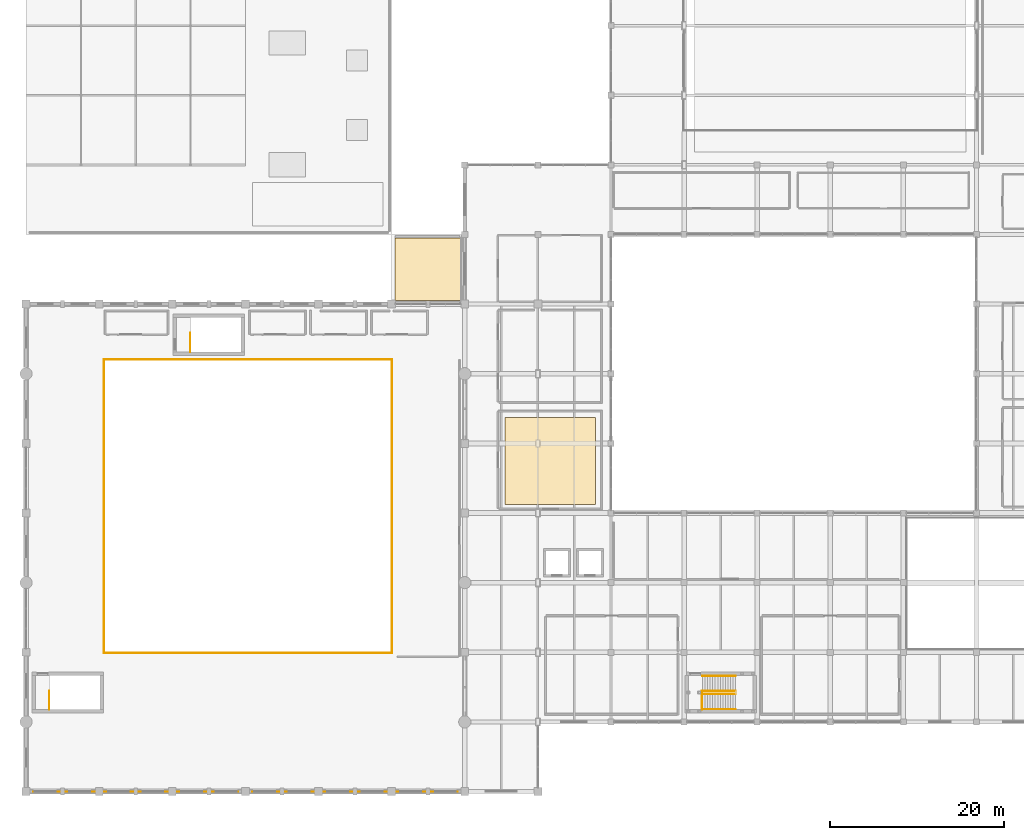
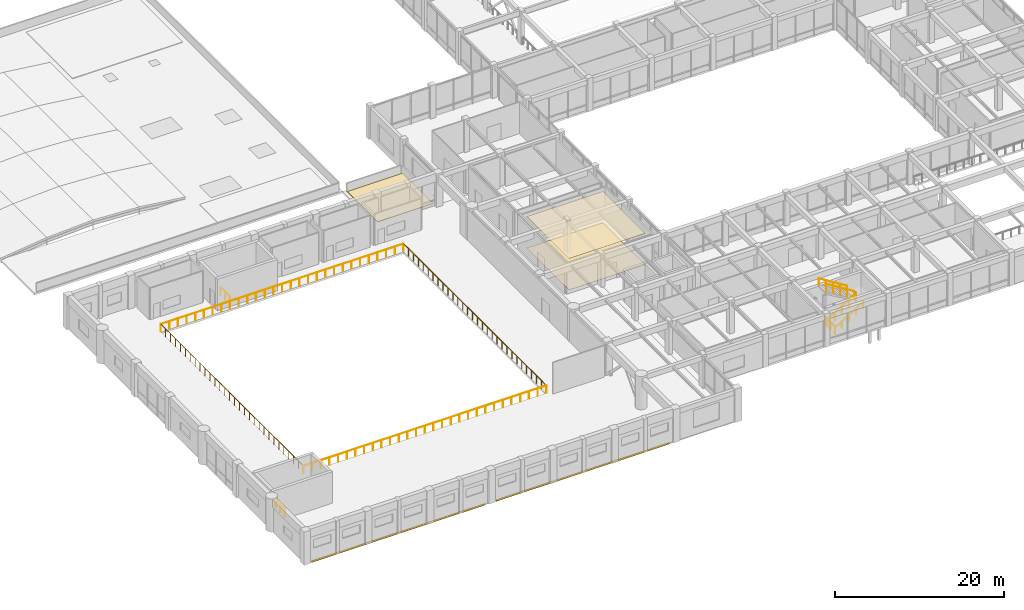
# One storey, part 71 of 76: 11 railings, 5 coverings.
"""IFC4 building model written with IfcOpenShell, lengths in metres."""

from ifc_helpers import new_model, si_unit, direction, frame, origin, origin_2d, place, context, subcontext, project, spatial, polyline, rectangle, circle, outline, extrude, material, layer, layer_set, type_object, element, save


model = new_model("IFC4")

# Units and contexts
model_context = context("Model", 3, precision=1e-05, world=origin(), true_north=direction((0.0, 1.0)))
body_context = subcontext(model_context, "Body", "Model", "MODEL_VIEW")
ifc_project = project(units=[si_unit("LENGTHUNIT", "METRE"), si_unit("AREAUNIT", "SQUARE_METRE"), si_unit("VOLUMEUNIT", "CUBIC_METRE"), si_unit("PLANEANGLEUNIT", "RADIAN"), si_unit("MASSUNIT", "GRAM", prefix="KILO")], contexts=[model_context])

# Site, building, storey
site_placement = place(None, origin())
site = spatial("IfcSite", under=ifc_project, at=site_placement, CompositionType="ELEMENT")
building_placement = place(site_placement, origin())
building = spatial("IfcBuilding", under=site, at=building_placement, Name="Naruveol Harbour Congress Hotel", CompositionType="ELEMENT")
storey_placement = place(building_placement, frame((0.0, 0.0, 11.39990234375)))
storey = spatial("IfcBuildingStorey", under=building, at=storey_placement, Name="L02", CompositionType="ELEMENT", Elevation=11.39990234375)

# Coverings
ifc_material_1 = material(Name="Precast concrete C40/50", Category="concrete")
ifc_layer_1 = layer(ifc_material_1, 0.044921875)
ifc_layer_set_1 = layer_set([ifc_layer_1], Name="Precast concrete C40/50")
covering_type_1 = type_object("IfcCoveringType", Name="HONED INCHEON GRANITE SPANDREL CLADDING 45", PredefinedType="CLADDING", material=ifc_layer_set_1)
for number, where, z_axis, x_axis, name in (
    (1, (12.60009765625, -0.02001953125, -0.27978515625), (0.0, 0.0, 1.0), (1.0, 0.0, 0.0), "Granite spandrel fascia cladding #3"),
    (2, (37.800048828125, -0.02001953125, -0.27978515625), (0.0, 0.0, 1.0), (1.0, 0.0, 0.0), "Granite spandrel fascia cladding #4"),
):
    element("IfcCovering", number, at=place(storey_placement, frame(where, z_axis=z_axis, x_axis=x_axis)), inside=storey, type_object=covering_type_1, Name=name, PredefinedType="CLADDING", context=body_context, shape_type="SweptSolid", body=[
        extrude(rectangle(XDim=23.60009765625, YDim=0.044921875, at=origin_2d()), origin(), (0.0, 0.0, 1.0), 0.280029296875),
    ])
ifc_material_2 = material(Name="TPO Waterproofing & Mineral Insulation", Category="insulation")
ifc_layer_2 = layer(ifc_material_2, 0.080078125)
ifc_layer_set_2 = layer_set([ifc_layer_2], Name="TPO Waterproofing & Mineral Insulation")
covering_type_2 = type_object("IfcCoveringType", Name="INSULATED MEMBRANE ROOFING SYSTEM 80", PredefinedType="ROOFING", material=ifc_layer_set_2)
covering_1_placement = place(storey_placement, origin())
element("IfcCovering", 3, at=covering_1_placement, inside=storey, type_object=covering_type_2, Name="Insulated roof membrane covering #3", PredefinedType="ROOFING", context=body_context, shape_type="SweptSolid", body=[
    extrude(outline(polyline([(42.39990234375, 56.39990234375), (50.0, 56.39990234375), (50.0, 63.60009765625), (42.39990234375, 63.60009765625), (42.39990234375, 56.39990234375)])), origin(), (0.0, 0.0, 1.0), 0.080078125),
])

# Railings
ifc_material_3 = material(Name="Tempered Laminated Safety Glass & Stainless Steel", Category="steel")
ifc_layer_3 = layer(ifc_material_3, 0.06005859375)
ifc_layer_set_3 = layer_set([ifc_layer_3], Name="Tempered Laminated Safety Glass & Stainless Steel")
railing_type_1 = type_object("IfcRailingType", Name="LAMINATED GLASS TERRACE BALUSTRADE 1150", PredefinedType="BALUSTRADE", material=ifc_layer_set_3)
railing_1_placement = place(storey_placement, frame((8.93994140625, 15.93994140625, 0.0)))
element("IfcRailing", 4, at=railing_1_placement, inside=storey, type_object=railing_type_1, Name="Congress Balcony bowl balustrade #54", PredefinedType="BALUSTRADE", context=body_context, shape_type="SweptSolid", body=[
    extrude(circle(Radius=0.02392578125, at=origin_2d()), frame((0.0, 0.0, 1.1259765625), z_axis=(1.0, 0.0, 0.0), x_axis=(0.0, 1.0, 0.0)), (0.0, 0.0, 1.0), 33.1201171875),
    extrude(circle(Radius=0.02099609375, at=origin_2d()), origin(), (0.0, 0.0, 1.0), 1.101806640625),
    extrude(circle(Radius=0.02099609375, at=origin_2d()), frame((1.182861328125, 0.0, 0.0)), (0.0, 0.0, 1.0), 1.101806640625),
    extrude(circle(Radius=0.02099609375, at=origin_2d()), frame((2.36572265625, 0.0, 0.0)), (0.0, 0.0, 1.0), 1.101806640625),
    extrude(circle(Radius=0.02099609375, at=origin_2d()), frame((3.548583984375, 0.0, 0.0)), (0.0, 0.0, 1.0), 1.101806640625),
    extrude(circle(Radius=0.02099609375, at=origin_2d()), frame((4.7314453125, 0.0, 0.0)), (0.0, 0.0, 1.0), 1.101806640625),
    extrude(circle(Radius=0.02099609375, at=origin_2d()), frame((5.914306640625, 0.0, 0.0)), (0.0, 0.0, 1.0), 1.101806640625),
    extrude(circle(Radius=0.02099609375, at=origin_2d()), frame((7.09716796875, 0.0, 0.0)), (0.0, 0.0, 1.0), 1.101806640625),
    extrude(circle(Radius=0.02099609375, at=origin_2d()), frame((8.280029296875, 0.0, 0.0)), (0.0, 0.0, 1.0), 1.101806640625),
    extrude(circle(Radius=0.02099609375, at=origin_2d()), frame((9.462890625, 0.0, 0.0)), (0.0, 0.0, 1.0), 1.101806640625),
    extrude(circle(Radius=0.02099609375, at=origin_2d()), frame((10.645751953125, 0.0, 0.0)), (0.0, 0.0, 1.0), 1.101806640625),
    extrude(circle(Radius=0.02099609375, at=origin_2d()), frame((11.82861328125, 0.0, 0.0)), (0.0, 0.0, 1.0), 1.101806640625),
    extrude(circle(Radius=0.02099609375, at=origin_2d()), frame((13.011474609375, 0.0, 0.0)), (0.0, 0.0, 1.0), 1.101806640625),
    extrude(circle(Radius=0.02099609375, at=origin_2d()), frame((14.1943359375, 0.0, 0.0)), (0.0, 0.0, 1.0), 1.101806640625),
    extrude(circle(Radius=0.02099609375, at=origin_2d()), frame((15.377197265625, 0.0, 0.0)), (0.0, 0.0, 1.0), 1.101806640625),
    extrude(circle(Radius=0.02099609375, at=origin_2d()), frame((16.56005859375, 0.0, 0.0)), (0.0, 0.0, 1.0), 1.101806640625),
    extrude(circle(Radius=0.02099609375, at=origin_2d()), frame((17.742919921875, 0.0, 0.0)), (0.0, 0.0, 1.0), 1.101806640625),
    extrude(circle(Radius=0.02099609375, at=origin_2d()), frame((18.92578125, 0.0, 0.0)), (0.0, 0.0, 1.0), 1.101806640625),
    extrude(circle(Radius=0.02099609375, at=origin_2d()), frame((20.108642578125, 0.0, 0.0)), (0.0, 0.0, 1.0), 1.101806640625),
    extrude(circle(Radius=0.02099609375, at=origin_2d()), frame((21.29150390625, 0.0, 0.0)), (0.0, 0.0, 1.0), 1.101806640625),
    extrude(circle(Radius=0.02099609375, at=origin_2d()), frame((22.474365234375, 0.0, 0.0)), (0.0, 0.0, 1.0), 1.101806640625),
    extrude(circle(Radius=0.02099609375, at=origin_2d()), frame((23.6572265625, 0.0, 0.0)), (0.0, 0.0, 1.0), 1.101806640625),
    extrude(circle(Radius=0.02099609375, at=origin_2d()), frame((24.840087890625, 0.0, 0.0)), (0.0, 0.0, 1.0), 1.101806640625),
    extrude(circle(Radius=0.02099609375, at=origin_2d()), frame((26.02294921875, 0.0, 0.0)), (0.0, 0.0, 1.0), 1.101806640625),
    extrude(circle(Radius=0.02099609375, at=origin_2d()), frame((27.205810546875, 0.0, 0.0)), (0.0, 0.0, 1.0), 1.101806640625),
    extrude(circle(Radius=0.02099609375, at=origin_2d()), frame((28.388671875, 0.0, 0.0)), (0.0, 0.0, 1.0), 1.101806640625),
    extrude(circle(Radius=0.02099609375, at=origin_2d()), frame((29.571533203125, 0.0, 0.0)), (0.0, 0.0, 1.0), 1.101806640625),
    extrude(circle(Radius=0.02099609375, at=origin_2d()), frame((30.75439453125, 0.0, 0.0)), (0.0, 0.0, 1.0), 1.101806640625),
    extrude(circle(Radius=0.02099609375, at=origin_2d()), frame((31.937255859375, 0.0, 0.0)), (0.0, 0.0, 1.0), 1.101806640625),
    extrude(circle(Radius=0.02099609375, at=origin_2d()), frame((33.1201171875, 0.0, 0.0)), (0.0, 0.0, 1.0), 1.101806640625),
])
railing_2_placement = place(storey_placement, frame((42.06005859375, 15.93994140625, 0.0)))
element("IfcRailing", 5, at=railing_2_placement, inside=storey, type_object=railing_type_1, Name="Congress Balcony bowl balustrade #55", PredefinedType="BALUSTRADE", context=body_context, shape_type="SweptSolid", body=[
    extrude(circle(Radius=0.02392578125, at=origin_2d()), frame((0.0, 0.0, 1.1259765625), z_axis=(0.0, 1.0, 0.0), x_axis=(-1.0, 0.0, 0.0)), (0.0, 0.0, 1.0), 33.719970703125),
    extrude(circle(Radius=0.02099609375, at=origin_2d()), origin(), (0.0, 0.0, 1.0), 1.101806640625),
    extrude(circle(Radius=0.02099609375, at=origin_2d()), frame((0.0, 1.162841796875, 0.0)), (0.0, 0.0, 1.0), 1.101806640625),
    extrude(circle(Radius=0.02099609375, at=origin_2d()), frame((0.0, 2.325439453125, 0.0)), (0.0, 0.0, 1.0), 1.101806640625),
    extrude(circle(Radius=0.02099609375, at=origin_2d()), frame((0.0, 3.48828125, 0.0)), (0.0, 0.0, 1.0), 1.101806640625),
    extrude(circle(Radius=0.02099609375, at=origin_2d()), frame((0.0, 4.651123046875, 0.0)), (0.0, 0.0, 1.0), 1.101806640625),
    extrude(circle(Radius=0.02099609375, at=origin_2d()), frame((0.0, 5.813720703125, 0.0)), (0.0, 0.0, 1.0), 1.101806640625),
    extrude(circle(Radius=0.02099609375, at=origin_2d()), frame((0.0, 6.9765625, 0.0)), (0.0, 0.0, 1.0), 1.101806640625),
    extrude(circle(Radius=0.02099609375, at=origin_2d()), frame((0.0, 8.139404296875, 0.0)), (0.0, 0.0, 1.0), 1.101806640625),
    extrude(circle(Radius=0.02099609375, at=origin_2d()), frame((0.0, 9.302001953125, 0.0)), (0.0, 0.0, 1.0), 1.101806640625),
    extrude(circle(Radius=0.02099609375, at=origin_2d()), frame((0.0, 10.46484375, 0.0)), (0.0, 0.0, 1.0), 1.101806640625),
    extrude(circle(Radius=0.02099609375, at=origin_2d()), frame((0.0, 11.627685546875, 0.0)), (0.0, 0.0, 1.0), 1.101806640625),
    extrude(circle(Radius=0.02099609375, at=origin_2d()), frame((0.0, 12.790283203125, 0.0)), (0.0, 0.0, 1.0), 1.101806640625),
    extrude(circle(Radius=0.02099609375, at=origin_2d()), frame((0.0, 13.953125, 0.0)), (0.0, 0.0, 1.0), 1.101806640625),
    extrude(circle(Radius=0.02099609375, at=origin_2d()), frame((0.0, 15.115966796875, 0.0)), (0.0, 0.0, 1.0), 1.101806640625),
    extrude(circle(Radius=0.02099609375, at=origin_2d()), frame((0.0, 16.278564453125, 0.0)), (0.0, 0.0, 1.0), 1.101806640625),
    extrude(circle(Radius=0.02099609375, at=origin_2d()), frame((0.0, 17.44140625, 0.0)), (0.0, 0.0, 1.0), 1.101806640625),
    extrude(circle(Radius=0.02099609375, at=origin_2d()), frame((0.0, 18.60400390625, 0.0)), (0.0, 0.0, 1.0), 1.101806640625),
    extrude(circle(Radius=0.02099609375, at=origin_2d()), frame((0.0, 19.766845703125, 0.0)), (0.0, 0.0, 1.0), 1.101806640625),
    extrude(circle(Radius=0.02099609375, at=origin_2d()), frame((0.0, 20.9296875, 0.0)), (0.0, 0.0, 1.0), 1.101806640625),
    extrude(circle(Radius=0.02099609375, at=origin_2d()), frame((0.0, 22.09228515625, 0.0)), (0.0, 0.0, 1.0), 1.101806640625),
    extrude(circle(Radius=0.02099609375, at=origin_2d()), frame((0.0, 23.255126953125, 0.0)), (0.0, 0.0, 1.0), 1.101806640625),
    extrude(circle(Radius=0.02099609375, at=origin_2d()), frame((0.0, 24.41796875, 0.0)), (0.0, 0.0, 1.0), 1.101806640625),
    extrude(circle(Radius=0.02099609375, at=origin_2d()), frame((0.0, 25.58056640625, 0.0)), (0.0, 0.0, 1.0), 1.101806640625),
    extrude(circle(Radius=0.02099609375, at=origin_2d()), frame((0.0, 26.743408203125, 0.0)), (0.0, 0.0, 1.0), 1.101806640625),
    extrude(circle(Radius=0.02099609375, at=origin_2d()), frame((0.0, 27.90625, 0.0)), (0.0, 0.0, 1.0), 1.101806640625),
    extrude(circle(Radius=0.02099609375, at=origin_2d()), frame((0.0, 29.06884765625, 0.0)), (0.0, 0.0, 1.0), 1.101806640625),
    extrude(circle(Radius=0.02099609375, at=origin_2d()), frame((0.0, 30.231689453125, 0.0)), (0.0, 0.0, 1.0), 1.101806640625),
    extrude(circle(Radius=0.02099609375, at=origin_2d()), frame((0.0, 31.39453125, 0.0)), (0.0, 0.0, 1.0), 1.101806640625),
    extrude(circle(Radius=0.02099609375, at=origin_2d()), frame((0.0, 32.55712890625, 0.0)), (0.0, 0.0, 1.0), 1.101806640625),
    extrude(circle(Radius=0.02099609375, at=origin_2d()), frame((0.0, 33.719970703125, 0.0)), (0.0, 0.0, 1.0), 1.101806640625),
])
railing_3_placement = place(storey_placement, frame((42.06005859375, 49.659912109375, 0.0)))
element("IfcRailing", 6, at=railing_3_placement, inside=storey, type_object=railing_type_1, Name="Congress Balcony bowl balustrade #56", PredefinedType="BALUSTRADE", context=body_context, shape_type="SweptSolid", body=[
    extrude(circle(Radius=0.02392578125, at=origin_2d()), frame((0.0, 0.0, 1.1259765625), z_axis=(-1.0, 0.0, 0.0), x_axis=(0.0, -1.0, 0.0)), (0.0, 0.0, 1.0), 33.1201171875),
    extrude(circle(Radius=0.02099609375, at=origin_2d()), origin(), (0.0, 0.0, 1.0), 1.101806640625),
    extrude(circle(Radius=0.02099609375, at=origin_2d()), frame((-1.182861328125, 0.0, 0.0)), (0.0, 0.0, 1.0), 1.101806640625),
    extrude(circle(Radius=0.02099609375, at=origin_2d()), frame((-2.36572265625, 0.0, 0.0)), (0.0, 0.0, 1.0), 1.101806640625),
    extrude(circle(Radius=0.02099609375, at=origin_2d()), frame((-3.548583984375, 0.0, 0.0)), (0.0, 0.0, 1.0), 1.101806640625),
    extrude(circle(Radius=0.02099609375, at=origin_2d()), frame((-4.7314453125, 0.0, 0.0)), (0.0, 0.0, 1.0), 1.101806640625),
    extrude(circle(Radius=0.02099609375, at=origin_2d()), frame((-5.914306640625, 0.0, 0.0)), (0.0, 0.0, 1.0), 1.101806640625),
    extrude(circle(Radius=0.02099609375, at=origin_2d()), frame((-7.09716796875, 0.0, 0.0)), (0.0, 0.0, 1.0), 1.101806640625),
    extrude(circle(Radius=0.02099609375, at=origin_2d()), frame((-8.280029296875, 0.0, 0.0)), (0.0, 0.0, 1.0), 1.101806640625),
    extrude(circle(Radius=0.02099609375, at=origin_2d()), frame((-9.462890625, 0.0, 0.0)), (0.0, 0.0, 1.0), 1.101806640625),
    extrude(circle(Radius=0.02099609375, at=origin_2d()), frame((-10.645751953125, 0.0, 0.0)), (0.0, 0.0, 1.0), 1.101806640625),
    extrude(circle(Radius=0.02099609375, at=origin_2d()), frame((-11.82861328125, 0.0, 0.0)), (0.0, 0.0, 1.0), 1.101806640625),
    extrude(circle(Radius=0.02099609375, at=origin_2d()), frame((-13.011474609375, 0.0, 0.0)), (0.0, 0.0, 1.0), 1.101806640625),
    extrude(circle(Radius=0.02099609375, at=origin_2d()), frame((-14.1943359375, 0.0, 0.0)), (0.0, 0.0, 1.0), 1.101806640625),
    extrude(circle(Radius=0.02099609375, at=origin_2d()), frame((-15.377197265625, 0.0, 0.0)), (0.0, 0.0, 1.0), 1.101806640625),
    extrude(circle(Radius=0.02099609375, at=origin_2d()), frame((-16.56005859375, 0.0, 0.0)), (0.0, 0.0, 1.0), 1.101806640625),
    extrude(circle(Radius=0.02099609375, at=origin_2d()), frame((-17.742919921875, 0.0, 0.0)), (0.0, 0.0, 1.0), 1.101806640625),
    extrude(circle(Radius=0.02099609375, at=origin_2d()), frame((-18.92578125, 0.0, 0.0)), (0.0, 0.0, 1.0), 1.101806640625),
    extrude(circle(Radius=0.02099609375, at=origin_2d()), frame((-20.108642578125, 0.0, 0.0)), (0.0, 0.0, 1.0), 1.101806640625),
    extrude(circle(Radius=0.02099609375, at=origin_2d()), frame((-21.29150390625, 0.0, 0.0)), (0.0, 0.0, 1.0), 1.101806640625),
    extrude(circle(Radius=0.02099609375, at=origin_2d()), frame((-22.474365234375, 0.0, 0.0)), (0.0, 0.0, 1.0), 1.101806640625),
    extrude(circle(Radius=0.02099609375, at=origin_2d()), frame((-23.6572265625, 0.0, 0.0)), (0.0, 0.0, 1.0), 1.101806640625),
    extrude(circle(Radius=0.02099609375, at=origin_2d()), frame((-24.840087890625, 0.0, 0.0)), (0.0, 0.0, 1.0), 1.101806640625),
    extrude(circle(Radius=0.02099609375, at=origin_2d()), frame((-26.02294921875, 0.0, 0.0)), (0.0, 0.0, 1.0), 1.101806640625),
    extrude(circle(Radius=0.02099609375, at=origin_2d()), frame((-27.205810546875, 0.0, 0.0)), (0.0, 0.0, 1.0), 1.101806640625),
    extrude(circle(Radius=0.02099609375, at=origin_2d()), frame((-28.388671875, 0.0, 0.0)), (0.0, 0.0, 1.0), 1.101806640625),
    extrude(circle(Radius=0.02099609375, at=origin_2d()), frame((-29.571533203125, 0.0, 0.0)), (0.0, 0.0, 1.0), 1.101806640625),
    extrude(circle(Radius=0.02099609375, at=origin_2d()), frame((-30.75439453125, 0.0, 0.0)), (0.0, 0.0, 1.0), 1.101806640625),
    extrude(circle(Radius=0.02099609375, at=origin_2d()), frame((-31.937255859375, 0.0, 0.0)), (0.0, 0.0, 1.0), 1.101806640625),
    extrude(circle(Radius=0.02099609375, at=origin_2d()), frame((-33.1201171875, 0.0, 0.0)), (0.0, 0.0, 1.0), 1.101806640625),
])
railing_4_placement = place(storey_placement, frame((8.93994140625, 49.659912109375, 0.0)))
element("IfcRailing", 7, at=railing_4_placement, inside=storey, type_object=railing_type_1, Name="Congress Balcony bowl balustrade #57", PredefinedType="BALUSTRADE", context=body_context, shape_type="SweptSolid", body=[
    extrude(circle(Radius=0.02392578125, at=origin_2d()), frame((0.0, 0.0, 1.1259765625), z_axis=(0.0, -1.0, 0.0), x_axis=(1.0, 0.0, 0.0)), (0.0, 0.0, 1.0), 33.719970703125),
    extrude(circle(Radius=0.02099609375, at=origin_2d()), origin(), (0.0, 0.0, 1.0), 1.101806640625),
    extrude(circle(Radius=0.02099609375, at=origin_2d()), frame((0.0, -1.162841796875, 0.0)), (0.0, 0.0, 1.0), 1.101806640625),
    extrude(circle(Radius=0.02099609375, at=origin_2d()), frame((0.0, -2.325439453125, 0.0)), (0.0, 0.0, 1.0), 1.101806640625),
    extrude(circle(Radius=0.02099609375, at=origin_2d()), frame((0.0, -3.48828125, 0.0)), (0.0, 0.0, 1.0), 1.101806640625),
    extrude(circle(Radius=0.02099609375, at=origin_2d()), frame((0.0, -4.651123046875, 0.0)), (0.0, 0.0, 1.0), 1.101806640625),
    extrude(circle(Radius=0.02099609375, at=origin_2d()), frame((0.0, -5.813720703125, 0.0)), (0.0, 0.0, 1.0), 1.101806640625),
    extrude(circle(Radius=0.02099609375, at=origin_2d()), frame((0.0, -6.9765625, 0.0)), (0.0, 0.0, 1.0), 1.101806640625),
    extrude(circle(Radius=0.02099609375, at=origin_2d()), frame((0.0, -8.139404296875, 0.0)), (0.0, 0.0, 1.0), 1.101806640625),
    extrude(circle(Radius=0.02099609375, at=origin_2d()), frame((0.0, -9.302001953125, 0.0)), (0.0, 0.0, 1.0), 1.101806640625),
    extrude(circle(Radius=0.02099609375, at=origin_2d()), frame((0.0, -10.46484375, 0.0)), (0.0, 0.0, 1.0), 1.101806640625),
    extrude(circle(Radius=0.02099609375, at=origin_2d()), frame((0.0, -11.627685546875, 0.0)), (0.0, 0.0, 1.0), 1.101806640625),
    extrude(circle(Radius=0.02099609375, at=origin_2d()), frame((0.0, -12.790283203125, 0.0)), (0.0, 0.0, 1.0), 1.101806640625),
    extrude(circle(Radius=0.02099609375, at=origin_2d()), frame((0.0, -13.953125, 0.0)), (0.0, 0.0, 1.0), 1.101806640625),
    extrude(circle(Radius=0.02099609375, at=origin_2d()), frame((0.0, -15.115966796875, 0.0)), (0.0, 0.0, 1.0), 1.101806640625),
    extrude(circle(Radius=0.02099609375, at=origin_2d()), frame((0.0, -16.278564453125, 0.0)), (0.0, 0.0, 1.0), 1.101806640625),
    extrude(circle(Radius=0.02099609375, at=origin_2d()), frame((0.0, -17.44140625, 0.0)), (0.0, 0.0, 1.0), 1.101806640625),
    extrude(circle(Radius=0.02099609375, at=origin_2d()), frame((0.0, -18.60400390625, 0.0)), (0.0, 0.0, 1.0), 1.101806640625),
    extrude(circle(Radius=0.02099609375, at=origin_2d()), frame((0.0, -19.766845703125, 0.0)), (0.0, 0.0, 1.0), 1.101806640625),
    extrude(circle(Radius=0.02099609375, at=origin_2d()), frame((0.0, -20.9296875, 0.0)), (0.0, 0.0, 1.0), 1.101806640625),
    extrude(circle(Radius=0.02099609375, at=origin_2d()), frame((0.0, -22.09228515625, 0.0)), (0.0, 0.0, 1.0), 1.101806640625),
    extrude(circle(Radius=0.02099609375, at=origin_2d()), frame((0.0, -23.255126953125, 0.0)), (0.0, 0.0, 1.0), 1.101806640625),
    extrude(circle(Radius=0.02099609375, at=origin_2d()), frame((0.0, -24.41796875, 0.0)), (0.0, 0.0, 1.0), 1.101806640625),
    extrude(circle(Radius=0.02099609375, at=origin_2d()), frame((0.0, -25.58056640625, 0.0)), (0.0, 0.0, 1.0), 1.101806640625),
    extrude(circle(Radius=0.02099609375, at=origin_2d()), frame((0.0, -26.743408203125, 0.0)), (0.0, 0.0, 1.0), 1.101806640625),
    extrude(circle(Radius=0.02099609375, at=origin_2d()), frame((0.0, -27.90625, 0.0)), (0.0, 0.0, 1.0), 1.101806640625),
    extrude(circle(Radius=0.02099609375, at=origin_2d()), frame((0.0, -29.06884765625, 0.0)), (0.0, 0.0, 1.0), 1.101806640625),
    extrude(circle(Radius=0.02099609375, at=origin_2d()), frame((0.0, -30.231689453125, 0.0)), (0.0, 0.0, 1.0), 1.101806640625),
    extrude(circle(Radius=0.02099609375, at=origin_2d()), frame((0.0, -31.39453125, 0.0)), (0.0, 0.0, 1.0), 1.101806640625),
    extrude(circle(Radius=0.02099609375, at=origin_2d()), frame((0.0, -32.55712890625, 0.0)), (0.0, 0.0, 1.0), 1.101806640625),
    extrude(circle(Radius=0.02099609375, at=origin_2d()), frame((0.0, -33.719970703125, 0.0)), (0.0, 0.0, 1.0), 1.101806640625),
])

# Covering
ifc_material_4 = material(Name="Polished Terrazzo & Engineered Oak", Category="stone")
ifc_layer_4 = layer(ifc_material_4, 0.02490234375)
ifc_layer_set_4 = layer_set([ifc_layer_4], Name="Polished Terrazzo & Engineered Oak")
covering_type_3 = type_object("IfcCoveringType", Name="POLISHED TERRAZZO AND OAK FLOORING 25", PredefinedType="FLOORING", material=ifc_layer_set_4)
covering_2_placement = place(storey_placement, origin())
element("IfcCovering", 8, at=covering_2_placement, inside=storey, type_object=covering_type_3, Name="Meeting Room 202 Acoustic Flooring", PredefinedType="FLOORING", context=body_context, shape_type="SweptSolid", body=[
    extrude(outline(polyline([(55.0, 33.0), (65.39990234375, 33.0), (65.39990234375, 43.0), (55.0, 43.0), (55.0, 33.0)])), origin(), (0.0, 0.0, 1.0), 0.025146484375),
])

# Railings
ifc_material_5 = material(Name="Stainless Steel 304", Category="steel")
ifc_layer_5 = layer(ifc_material_5, 0.0419921875)
ifc_layer_set_5 = layer_set([ifc_layer_5], Name="Stainless Steel 304")
railing_type_2 = type_object("IfcRailingType", Name="STAIR WALL MOUNTED HANDRAIL 900", PredefinedType="HANDRAIL", material=ifc_layer_set_5)
railing_5_placement = place(storey_placement, frame((77.699951171875, 9.4599609375, 0.0)))
element("IfcRailing", 9, at=railing_5_placement, inside=storey, type_object=railing_type_2, Name="Stair ST10 L02 lower wall handrail", PredefinedType="HANDRAIL", context=body_context, shape_type="SweptSolid", body=[
    extrude(circle(Radius=0.02392578125, at=origin_2d()), frame((0.0, 0.0, 0.8759765625), z_axis=(0.847670718537, 0.0, 0.530522716701), x_axis=(0.0, 1.0, 0.0)), (0.0, 0.0, 1.0), 4.524169921875),
    extrude(circle(Radius=0.02099609375, at=origin_2d()), origin(), (0.0, 0.0, 1.0), 0.851806640625),
    extrude(circle(Radius=0.02099609375, at=origin_2d()), frame((0.958740234375, 0.0, 0.60009765625)), (0.0, 0.0, 1.0), 0.851806640625),
    extrude(circle(Radius=0.02099609375, at=origin_2d()), frame((1.91748046875, 0.0, 1.2001953125)), (0.0, 0.0, 1.0), 0.851806640625),
    extrude(circle(Radius=0.02099609375, at=origin_2d()), frame((2.876220703125, 0.0, 1.800048828125)), (0.0, 0.0, 1.0), 0.851806640625),
    extrude(circle(Radius=0.02099609375, at=origin_2d()), frame((3.8349609375, 0.0, 2.400146484375)), (0.0, 0.0, 1.0), 0.851806640625),
])
railing_6_placement = place(storey_placement, frame((81.534912109375, 13.300048828125, 2.400146484375)))
element("IfcRailing", 10, at=railing_6_placement, inside=storey, type_object=railing_type_2, Name="Stair ST10 L02 upper wall handrail", PredefinedType="HANDRAIL", context=body_context, shape_type="SweptSolid", body=[
    extrude(circle(Radius=0.02392578125, at=origin_2d()), frame((0.0, 0.0, 0.8759765625), z_axis=(-0.847694986538, 0.0, 0.530483939246), x_axis=(0.0, -1.0, 0.0)), (0.0, 0.0, 1.0), 4.52392578125),
    extrude(circle(Radius=0.02099609375, at=origin_2d()), origin(), (0.0, 0.0, 1.0), 0.851806640625),
    extrude(circle(Radius=0.02099609375, at=origin_2d()), frame((-0.958740234375, 0.0, 0.60009765625)), (0.0, 0.0, 1.0), 0.851806640625),
    extrude(circle(Radius=0.02099609375, at=origin_2d()), frame((-1.91748046875, 0.0, 1.199951171875)), (0.0, 0.0, 1.0), 0.851806640625),
    extrude(circle(Radius=0.02099609375, at=origin_2d()), frame((-2.876220703125, 0.0, 1.7998046875)), (0.0, 0.0, 1.0), 0.851806640625),
    extrude(circle(Radius=0.02099609375, at=origin_2d()), frame((-3.8349609375, 0.0, 2.39990234375)), (0.0, 0.0, 1.0), 0.851806640625),
])
ifc_material_6 = material(Name="Steel SN490", Category="steel")
ifc_layer_6 = layer(ifc_material_6, 0.044921875)
ifc_layer_set_6 = layer_set([ifc_layer_6], Name="Steel SN490")
railing_type_3 = type_object("IfcRailingType", Name="STAIRWELL STEEL GUARDRAIL 1150", PredefinedType="GUARDRAIL", material=ifc_layer_set_6)
railing_7_placement = place(storey_placement, frame((2.659912109375, 9.419921875, 0.0)))
element("IfcRailing", 11, at=railing_7_placement, inside=storey, type_object=railing_type_3, Name="Stair ST5 L02 top-floor well guard", PredefinedType="GUARDRAIL", context=body_context, shape_type="SweptSolid", body=[
    extrude(circle(Radius=0.02392578125, at=origin_2d()), frame((0.0, 0.0, 1.1259765625), z_axis=(0.0, 1.0, 0.0), x_axis=(-1.0, 0.0, 0.0)), (0.0, 0.0, 1.0), 2.150146484375),
    extrude(circle(Radius=0.02099609375, at=origin_2d()), origin(), (0.0, 0.0, 1.0), 1.101806640625),
    extrude(circle(Radius=0.02099609375, at=origin_2d()), frame((0.0, 1.0751953125, 0.0)), (0.0, 0.0, 1.0), 1.101806640625),
    extrude(circle(Radius=0.02099609375, at=origin_2d()), frame((0.0, 2.150146484375, 0.0)), (0.0, 0.0, 1.0), 1.101806640625),
])
railing_8_placement = place(storey_placement, frame((18.860107421875, 50.52001953125, 0.0)))
element("IfcRailing", 12, at=railing_8_placement, inside=storey, type_object=railing_type_3, Name="Stair ST6 L02 top-floor well guard", PredefinedType="GUARDRAIL", context=body_context, shape_type="SweptSolid", body=[
    extrude(circle(Radius=0.02392578125, at=origin_2d()), frame((0.0, 0.0, 1.1259765625), z_axis=(0.0, 1.0, 0.0), x_axis=(-1.0, 0.0, 0.0)), (0.0, 0.0, 1.0), 2.14990234375),
    extrude(circle(Radius=0.02099609375, at=origin_2d()), origin(), (0.0, 0.0, 1.0), 1.101806640625),
    extrude(circle(Radius=0.02099609375, at=origin_2d()), frame((0.0, 1.074951171875, 0.0)), (0.0, 0.0, 1.0), 1.101806640625),
    extrude(circle(Radius=0.02099609375, at=origin_2d()), frame((0.0, 2.14990234375, 0.0)), (0.0, 0.0, 1.0), 1.101806640625),
])
railing_9_placement = place(storey_placement, frame((77.699951171875, 11.18994140625, 0.0)))
element("IfcRailing", 13, at=railing_9_placement, inside=storey, type_object=railing_type_3, Name="Stair ST10 L02 lower well guard", PredefinedType="GUARDRAIL", context=body_context, shape_type="SweptSolid", body=[
    extrude(circle(Radius=0.02392578125, at=origin_2d()), frame((0.0, 0.0, 1.1259765625), z_axis=(0.847670718537, 0.0, 0.530522716701), x_axis=(0.0, 1.0, 0.0)), (0.0, 0.0, 1.0), 4.524169921875),
    extrude(circle(Radius=0.02099609375, at=origin_2d()), origin(), (0.0, 0.0, 1.0), 1.101806640625),
    extrude(circle(Radius=0.02099609375, at=origin_2d()), frame((0.958740234375, 0.0, 0.60009765625)), (0.0, 0.0, 1.0), 1.101806640625),
    extrude(circle(Radius=0.02099609375, at=origin_2d()), frame((1.91748046875, 0.0, 1.2001953125)), (0.0, 0.0, 1.0), 1.101806640625),
    extrude(circle(Radius=0.02099609375, at=origin_2d()), frame((2.876220703125, 0.0, 1.800048828125)), (0.0, 0.0, 1.0), 1.101806640625),
    extrude(circle(Radius=0.02099609375, at=origin_2d()), frame((3.8349609375, 0.0, 2.400146484375)), (0.0, 0.0, 1.0), 1.101806640625),
])
railing_10_placement = place(storey_placement, frame((81.534912109375, 11.570068359375, 2.400146484375)))
element("IfcRailing", 14, at=railing_10_placement, inside=storey, type_object=railing_type_3, Name="Stair ST10 L02 upper well guard", PredefinedType="GUARDRAIL", context=body_context, shape_type="SweptSolid", body=[
    extrude(circle(Radius=0.02392578125, at=origin_2d()), frame((0.0, 0.0, 1.1259765625), z_axis=(-0.847694986538, 0.0, 0.530483939246), x_axis=(0.0, -1.0, 0.0)), (0.0, 0.0, 1.0), 4.52392578125),
    extrude(circle(Radius=0.02099609375, at=origin_2d()), origin(), (0.0, 0.0, 1.0), 1.101806640625),
    extrude(circle(Radius=0.02099609375, at=origin_2d()), frame((-0.958740234375, 0.0, 0.60009765625)), (0.0, 0.0, 1.0), 1.101806640625),
    extrude(circle(Radius=0.02099609375, at=origin_2d()), frame((-1.91748046875, 0.0, 1.199951171875)), (0.0, 0.0, 1.0), 1.101806640625),
    extrude(circle(Radius=0.02099609375, at=origin_2d()), frame((-2.876220703125, 0.0, 1.7998046875)), (0.0, 0.0, 1.0), 1.101806640625),
    extrude(circle(Radius=0.02099609375, at=origin_2d()), frame((-3.8349609375, 0.0, 2.39990234375)), (0.0, 0.0, 1.0), 1.101806640625),
])
railing_11_placement = place(storey_placement, frame((77.659912109375, 9.419921875, 0.0)))
element("IfcRailing", 15, at=railing_11_placement, inside=storey, type_object=railing_type_3, Name="Stair ST10 L02 landing well guard", PredefinedType="GUARDRAIL", context=body_context, shape_type="SweptSolid", body=[
    extrude(circle(Radius=0.02392578125, at=origin_2d()), frame((0.0, 0.0, 1.1259765625), z_axis=(0.0, 1.0, 0.0), x_axis=(-1.0, 0.0, 0.0)), (0.0, 0.0, 1.0), 2.150146484375),
    extrude(circle(Radius=0.02099609375, at=origin_2d()), origin(), (0.0, 0.0, 1.0), 1.101806640625),
    extrude(circle(Radius=0.02099609375, at=origin_2d()), frame((0.0, 1.0751953125, 0.0)), (0.0, 0.0, 1.0), 1.101806640625),
    extrude(circle(Radius=0.02099609375, at=origin_2d()), frame((0.0, 2.150146484375, 0.0)), (0.0, 0.0, 1.0), 1.101806640625),
])

# Covering
ifc_material_7 = material(Name="Acoustic Engineered Timber Slats", Category="wood")
ifc_layer_7 = layer(ifc_material_7, 0.034912109375)
ifc_layer_set_7 = layer_set([ifc_layer_7], Name="Acoustic Engineered Timber Slats")
covering_type_4 = type_object("IfcCoveringType", Name="SUSPENDED PERFORATED TIMBER ACOUSTIC CEILING 35", PredefinedType="CEILING", material=ifc_layer_set_7)
covering_3_placement = place(storey_placement, frame((0.0, 0.0, 4.51513671875)))
element("IfcCovering", 16, at=covering_3_placement, inside=storey, type_object=covering_type_4, Name="Meeting Room 202 Acoustic Ceiling", PredefinedType="CEILING", context=body_context, shape_type="SweptSolid", body=[
    extrude(outline(polyline([(55.0, 33.0), (65.39990234375, 33.0), (65.39990234375, 43.0), (55.0, 43.0), (55.0, 33.0)])), origin(), (0.0, 0.0, 1.0), 0.034912109375),
])

save(model, "model.ifc")
